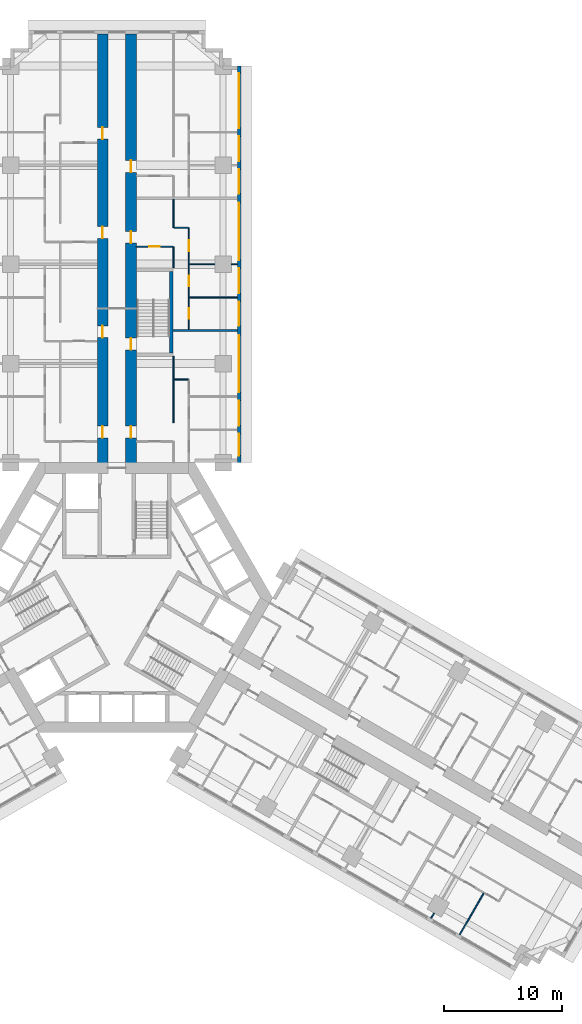
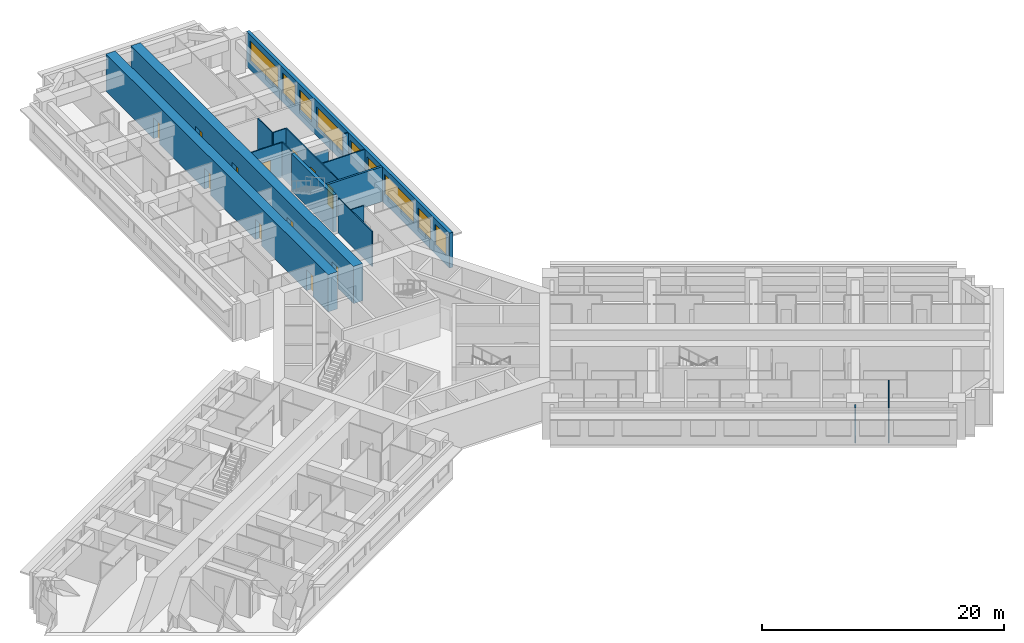
# One storey, part 10 of 16: 17 walls, 12 doors, 9 windows, 21 openings.
"""IFC4 building model written with IfcOpenShell, lengths in metres."""

import ifcopenshell
import ifcopenshell.guid

model = None  # the IFC model being written
_history = None  # IfcOwnerHistory: only IFC2X3 demands one
_inside = {}  # id of a spatial element -> (the spatial element, [elements in it])
_under = {}  # id of a project, library or spatial element -> (it, [spatial elements below it])
_declared = {}  # id of a project -> (the project, [libraries it declares])
_typed = {}  # id of a type object -> (the type object, [elements of that type])
_made_of = {}  # id of a material, layer set ... -> (it, [elements and type objects made of it])


def new_model(schema):
    """Start an empty IFC model of exactly this schema.

    Asked for "IFC4X3", IfcOpenShell would pick the latest addendum, in which some entities
    have other attributes; the version numbers below select the first issue.
    IFC2X3 requires an IfcOwnerHistory on every rooted entity: one is made here for all.
    """
    global model, _history
    if schema == "IFC4X3":
        model = ifcopenshell.file(schema_version=(4, 3, 0, 0))
    else:
        model = ifcopenshell.file(schema=schema)
    _inside.clear()
    _under.clear()
    _declared.clear()
    _typed.clear()
    _made_of.clear()
    _history = None
    if model.schema == "IFC2X3":
        org = make("IfcOrganization", Name="unknown")
        user = make(
            "IfcPersonAndOrganization",
            ThePerson=make("IfcPerson", FamilyName="unknown"),
            TheOrganization=org,
        )
        app = make(
            "IfcApplication",
            ApplicationDeveloper=org,
            Version="unknown",
            ApplicationFullName="unknown",
            ApplicationIdentifier="unknown",
        )
        _history = make(
            "IfcOwnerHistory",
            OwningUser=user,
            OwningApplication=app,
            ChangeAction="ADDED",
            CreationDate=0,
        )
    return model


def make(cls, **values):
    """One entity of the class cls with the attributes given. An attribute that is None is left unset."""
    return model.create_entity(
        cls, **{name: value for name, value in values.items() if value is not None}
    )


def rooted(cls, **values):
    """An entity with a GlobalId (a new one), such as an element, a storey or a relation."""
    return make(cls, GlobalId=ifcopenshell.guid.new(), OwnerHistory=_history, **values)


def si_unit(unit_type, name, prefix=None):
    """IfcSIUnit, for example si_unit("LENGTHUNIT", "METRE", prefix="MILLI")."""
    return make("IfcSIUnit", UnitType=unit_type, Prefix=prefix, Name=name)


def assignment(units):
    """IfcUnitAssignment: the units of a project."""
    return None if units is None else make("IfcUnitAssignment", Units=units)


def point(xyz):
    """IfcCartesianPoint."""
    return None if xyz is None else make("IfcCartesianPoint", Coordinates=xyz)


def direction(xyz):
    """IfcDirection."""
    return None if xyz is None else make("IfcDirection", DirectionRatios=xyz)


def frame(location, z_axis=None, x_axis=None):
    """IfcAxis2Placement3D, a coordinate frame: its origin and axes. An axis left out is left unset."""
    return make(
        "IfcAxis2Placement3D",
        Location=point(location),
        Axis=direction(z_axis),
        RefDirection=direction(x_axis),
    )


def frame_2d(location, x_axis=None):
    """IfcAxis2Placement2D, a coordinate frame in the plane: its origin and x axis."""
    return make(
        "IfcAxis2Placement2D", Location=point(location), RefDirection=direction(x_axis)
    )


def origin():
    """The frame at (0, 0, 0) with its axes left unset."""
    return frame((0.0, 0.0, 0.0))


def place(relative_to, where):
    """IfcLocalPlacement: puts the frame where relative to a parent placement (None: the world)."""
    return make(
        "IfcLocalPlacement", PlacementRelTo=relative_to, RelativePlacement=where
    )


def context(
    kind, dimensions, precision=None, world=None, true_north=None, identifier=None
):
    """IfcGeometricRepresentationContext, for example the 3D "Model" context."""
    return make(
        "IfcGeometricRepresentationContext",
        ContextIdentifier=identifier,
        ContextType=kind,
        CoordinateSpaceDimension=dimensions,
        Precision=precision,
        WorldCoordinateSystem=world,
        TrueNorth=true_north,
    )


def subcontext(parent, identifier, kind, view, scale=None):
    """IfcGeometricRepresentationSubContext, for example "Body" below "Model"."""
    return make(
        "IfcGeometricRepresentationSubContext",
        ContextIdentifier=identifier,
        ContextType=kind,
        ParentContext=parent,
        TargetScale=scale,
        TargetView=view,
    )


def project(units=None, contexts=None):
    """IfcProject with its units and contexts."""
    return rooted(
        "IfcProject",
        Name="project",
        RepresentationContexts=contexts,
        UnitsInContext=assignment(units),
    )


def spatial(cls, under=None, at=None, **own):
    """A site, building, storey or space (cls), placed at a placement, below another one or the project."""
    s = rooted(cls, ObjectPlacement=at, **own)
    if under is not None:
        _under.setdefault(under.id(), (under, []))[1].append(s)
    return s


def profile(cls, at=None, kind="AREA", **sizes):
    """A parametric profile (cls). Its sizes go by their IFC names, for example OverallWidth=200.0."""
    return make(cls, ProfileType=kind, Position=at, **sizes)


def rectangle(**sizes):
    """IfcRectangleProfileDef."""
    return profile("IfcRectangleProfileDef", **sizes)


def extrude(swept, where, along, depth):
    """IfcExtrudedAreaSolid: the profile swept, set in the frame where, extruded along a direction by depth."""
    return make(
        "IfcExtrudedAreaSolid",
        SweptArea=swept,
        Position=where,
        ExtrudedDirection=direction(along),
        Depth=depth,
    )


def shape(context_of_items, identifier, shape_type, items):
    """IfcShapeRepresentation: the items that make up one representation, for example the "Body"."""
    return make(
        "IfcShapeRepresentation",
        ContextOfItems=context_of_items,
        RepresentationIdentifier=identifier,
        RepresentationType=shape_type,
        Items=items,
    )


def material(Name=None, Category=None):
    """IfcMaterial."""
    return make("IfcMaterial", Name=Name, Category=Category)


def layer(
    of_material, thickness, ventilated=None, Name=None, Category=None, Priority=None
):
    """IfcMaterialLayer: one layer of a wall or slab, of a material (None: an air gap)."""
    return make(
        "IfcMaterialLayer",
        Material=of_material,
        LayerThickness=thickness,
        IsVentilated=ventilated,
        Name=Name,
        Category=Category,
        Priority=Priority,
    )


def layer_set(layers, Name=None):
    """IfcMaterialLayerSet."""
    return make("IfcMaterialLayerSet", MaterialLayers=layers, LayerSetName=Name)


def made_of(thing, what):
    """Note that an element or type object is made of a material, layer set ...; save() writes the relation."""
    if what is not None:
        _made_of.setdefault(what.id(), (what, []))[1].append(thing)
    return thing


def type_object(cls, material=None, **own):
    """A type object (cls), such as IfcWallType, which elements share."""
    return made_of(rooted(cls, **own), material)


def element(
    cls,
    number,
    at=None,
    inside=None,
    cuts=None,
    type_object=None,
    material=None,
    context=None,
    identifier="Body",
    shape_type=None,
    held_by="IfcProductDefinitionShape",
    body=None,
    shapes=None,
    **own,
):
    """One element of the class cls, such as IfcWall. Its Tag is "e" and its number.

    at: its placement. inside: the storey or other place that contains it. cuts: it is an
    opening in that element (IfcRelVoidsElement). A single representation is given by context,
    identifier, shape_type and body (its items); several are given by shapes. held_by: the class
    of the entity that holds the representations. save() writes the other relations.
    """
    e = rooted(cls, Tag="e%d" % number, ObjectPlacement=at, **own)
    if body is not None:
        shapes = [shape(context, identifier, shape_type, body)]
    if shapes is not None:
        e.Representation = make(held_by, Representations=shapes)
    if inside is not None:
        _inside.setdefault(inside.id(), (inside, []))[1].append(e)
    if cuts is not None:
        rooted(
            "IfcRelVoidsElement", RelatingBuildingElement=cuts, RelatedOpeningElement=e
        )
    if type_object is not None:
        _typed.setdefault(type_object.id(), (type_object, []))[1].append(e)
    return made_of(e, material)


def fill(opening, filler):
    """IfcRelFillsElement: the door or window that sits in an opening."""
    return rooted(
        "IfcRelFillsElement",
        RelatingOpeningElement=opening,
        RelatedBuildingElement=filler,
    )


def aggregate(whole, parts):
    """IfcRelAggregates: a whole, such as a stair, and the parts it consists of."""
    return rooted("IfcRelAggregates", RelatingObject=whole, RelatedObjects=parts)


def save(model, path):
    """Write the relations noted so far, then the file.

    IfcRelAggregates (storeys below a building ...), IfcRelContainedInSpatialStructure (elements
    in a storey), IfcRelDefinesByType, IfcRelAssociatesMaterial and IfcRelDeclares: one each for
    every whole, place, type object, material and project.
    """
    for whole, parts in _under.values():
        aggregate(whole, parts)
    for where, things in _inside.values():
        rooted(
            "IfcRelContainedInSpatialStructure",
            RelatedElements=things,
            RelatingStructure=where,
        )
    for kind, things in _typed.values():
        rooted("IfcRelDefinesByType", RelatedObjects=things, RelatingType=kind)
    for what, things in _made_of.values():
        rooted("IfcRelAssociatesMaterial", RelatedObjects=things, RelatingMaterial=what)
    for by, libraries in _declared.values():
        rooted("IfcRelDeclares", RelatingContext=by, RelatedDefinitions=libraries)
    model.write(path)


model = new_model("IFC4")

# Units and contexts
model_context = context("Model", 3, precision=1e-05, world=origin(), true_north=direction((0.0, 1.0)))
body_context = subcontext(model_context, "Body", "Model", "MODEL_VIEW")
ifc_project = project(units=[si_unit("LENGTHUNIT", "METRE"), si_unit("AREAUNIT", "SQUARE_METRE"), si_unit("VOLUMEUNIT", "CUBIC_METRE"), si_unit("PLANEANGLEUNIT", "RADIAN"), si_unit("MASSUNIT", "GRAM", prefix="KILO")], contexts=[model_context])

# Site, building, storey
site_placement = place(None, origin())
site = spatial("IfcSite", under=ifc_project, at=site_placement, CompositionType="ELEMENT")
building_placement = place(site_placement, origin())
building = spatial("IfcBuilding", under=site, at=building_placement, Name="Impinga Residences", CompositionType="ELEMENT")
storey_placement = place(building_placement, frame((0.0, 0.0, 74.75)))
storey = spatial("IfcBuildingStorey", under=building, at=storey_placement, Name="L18", CompositionType="ELEMENT", Elevation=74.75)

# Wall, openings, doors
ifc_material_1 = material(Name="Concrete C70/85", Category="concrete")
ifc_layer_1 = layer(ifc_material_1, 0.89990234375)
ifc_layer_set_1 = layer_set([ifc_layer_1], Name="Concrete C70/85")
wall_type_1 = type_object("IfcWallType", Name="BW1 corridor buttress wall, L05 to L22 900", PredefinedType="SHEAR", material=ifc_layer_set_1)
wall_1_placement = place(storey_placement, frame((-1.199951171875, 10.9814453125, 0.0), z_axis=(0.0, 0.0, 1.0), x_axis=(0.0, 1.0, 0.0)))
wall_1 = element("IfcWall", 1, at=wall_1_placement, inside=storey, type_object=wall_type_1, Name="Corridor wall BW1 NC L18", PredefinedType="SHEAR", context=body_context, shape_type="SweptSolid", body=[
    extrude(rectangle(XDim=36.75, YDim=0.89990234375, at=frame_2d((18.375, 0.0))), origin(), (0.0, 0.0, 1.0), 3.75),
])
opening_1_placement = place(wall_1_placement, frame((2.550048828125, 0.0, 0.0)))
opening_1 = element("IfcOpeningElement", 2, at=opening_1_placement, cuts=wall_1, Name="Opening D1", PredefinedType="OPENING", context=body_context, shape_type="SweptSolid", body=[
    extrude(rectangle(XDim=1.0, YDim=2.10009765625, at=frame_2d((0.5, 1.050048828125))), frame((0.0, 0.4599609375, 0.0), z_axis=(0.0, -1.0, 0.0), x_axis=(1.0, 0.0, 0.0)), (0.0, 0.0, 1.0), 0.919921875),
])
opening_2_placement = place(wall_1_placement, frame((11.050048828125, 0.0, 0.0)))
opening_2 = element("IfcOpeningElement", 3, at=opening_2_placement, cuts=wall_1, Name="Opening D1", PredefinedType="OPENING", context=body_context, shape_type="SweptSolid", body=[
    extrude(rectangle(XDim=1.0, YDim=2.10009765625, at=frame_2d((0.5, 1.050048828125))), frame((0.0, 0.4599609375, 0.0), z_axis=(0.0, -1.0, 0.0), x_axis=(1.0, 0.0, 0.0)), (0.0, 0.0, 1.0), 0.919921875),
])
opening_3_placement = place(wall_1_placement, frame((19.449951171875, 0.0, 0.0)))
opening_3 = element("IfcOpeningElement", 4, at=opening_3_placement, cuts=wall_1, Name="Opening D1", PredefinedType="OPENING", context=body_context, shape_type="SweptSolid", body=[
    extrude(rectangle(XDim=1.0, YDim=2.10009765625, at=frame_2d((0.5, 1.050048828125))), frame((0.0, 0.4599609375, 0.0), z_axis=(0.0, -1.0, 0.0), x_axis=(1.0, 0.0, 0.0)), (0.0, 0.0, 1.0), 0.919921875),
])
opening_4_placement = place(wall_1_placement, frame((27.85009765625, 0.0, 0.0)))
opening_4 = element("IfcOpeningElement", 5, at=opening_4_placement, cuts=wall_1, Name="Opening D1", PredefinedType="OPENING", context=body_context, shape_type="SweptSolid", body=[
    extrude(rectangle(XDim=1.0, YDim=2.10009765625, at=frame_2d((0.5, 1.050048828125))), frame((0.0, 0.4599609375, 0.0), z_axis=(0.0, -1.0, 0.0), x_axis=(1.0, 0.0, 0.0)), (0.0, 0.0, 1.0), 0.919921875),
])
ifc_material_2 = material(Name="Timber door set", Category="wood")
door_type_1 = type_object("IfcDoorType", Name="D1 apartment entrance door 1000x2100", OperationType="SINGLE_SWING_LEFT", PredefinedType="DOOR", material=ifc_material_2)
door_1_placement = place(opening_1_placement, origin())
door_1 = element("IfcDoor", 6, at=door_1_placement, inside=storey, type_object=door_type_1, Name="Apartment L18-NA1 entrance", OperationType="SINGLE_SWING_LEFT", OverallHeight=2.10009765625, OverallWidth=1.0, PredefinedType="DOOR", context=body_context, shape_type="SweptSolid", body=[
    extrude(rectangle(XDim=1.0, YDim=2.10009765625, at=frame_2d((0.5, 1.050048828125))), frame((0.0, 0.02490234375, 0.0), z_axis=(0.0, -1.0, 0.0), x_axis=(1.0, 0.0, 0.0)), (0.0, 0.0, 1.0), 0.050048828125),
])
fill(opening_1, door_1)
door_2_placement = place(opening_2_placement, origin())
door_2 = element("IfcDoor", 7, at=door_2_placement, inside=storey, type_object=door_type_1, Name="Apartment L18-NA2 entrance", OperationType="SINGLE_SWING_LEFT", OverallHeight=2.10009765625, OverallWidth=1.0, PredefinedType="DOOR", context=body_context, shape_type="SweptSolid", body=[
    extrude(rectangle(XDim=1.0, YDim=2.10009765625, at=frame_2d((0.5, 1.050048828125))), frame((0.0, 0.02490234375, 0.0), z_axis=(0.0, -1.0, 0.0), x_axis=(1.0, 0.0, 0.0)), (0.0, 0.0, 1.0), 0.050048828125),
])
fill(opening_2, door_2)
door_3_placement = place(opening_3_placement, origin())
door_3 = element("IfcDoor", 8, at=door_3_placement, inside=storey, type_object=door_type_1, Name="Apartment L18-NA3 entrance", OperationType="SINGLE_SWING_RIGHT", OverallHeight=2.10009765625, OverallWidth=1.0, PredefinedType="DOOR", context=body_context, shape_type="SweptSolid", body=[
    extrude(rectangle(XDim=1.0, YDim=2.10009765625, at=frame_2d((0.5, 1.050048828125))), frame((0.0, 0.02490234375, 0.0), z_axis=(0.0, -1.0, 0.0), x_axis=(1.0, 0.0, 0.0)), (0.0, 0.0, 1.0), 0.050048828125),
])
fill(opening_3, door_3)
door_4_placement = place(opening_4_placement, origin())
door_4 = element("IfcDoor", 9, at=door_4_placement, inside=storey, type_object=door_type_1, Name="Apartment L18-NA4 entrance", OperationType="SINGLE_SWING_RIGHT", OverallHeight=2.10009765625, OverallWidth=1.0, PredefinedType="DOOR", context=body_context, shape_type="SweptSolid", body=[
    extrude(rectangle(XDim=1.0, YDim=2.10009765625, at=frame_2d((0.5, 1.050048828125))), frame((0.0, 0.02490234375, 0.0), z_axis=(0.0, -1.0, 0.0), x_axis=(1.0, 0.0, 0.0)), (0.0, 0.0, 1.0), 0.050048828125),
])
fill(opening_4, door_4)

wall_2_placement = place(storey_placement, frame((1.199951171875, 10.9814453125, 0.0), z_axis=(0.0, 0.0, 1.0), x_axis=(0.0, 1.0, 0.0)))
wall_2 = element("IfcWall", 10, at=wall_2_placement, inside=storey, type_object=wall_type_1, Name="Corridor wall BW1 ND L18", PredefinedType="SHEAR", context=body_context, shape_type="SweptSolid", body=[
    extrude(rectangle(XDim=36.75, YDim=0.89990234375, at=frame_2d((18.375, 0.0))), origin(), (0.0, 0.0, 1.0), 3.75),
])
opening_5_placement = place(wall_2_placement, frame((10.0, 0.0, 0.0)))
opening_5 = element("IfcOpeningElement", 11, at=opening_5_placement, cuts=wall_2, Name="Opening D5", PredefinedType="OPENING", context=body_context, shape_type="SweptSolid", body=[
    extrude(rectangle(XDim=1.0, YDim=2.10009765625, at=frame_2d((0.5, 1.050048828125))), frame((0.0, 0.4599609375, 0.0), z_axis=(0.0, -1.0, 0.0), x_axis=(1.0, 0.0, 0.0)), (0.0, 0.0, 1.0), 0.919921875),
])
opening_6_placement = place(wall_2_placement, frame((2.550048828125, 0.0, 0.0)))
opening_6 = element("IfcOpeningElement", 12, at=opening_6_placement, cuts=wall_2, Name="Opening D1", PredefinedType="OPENING", context=body_context, shape_type="SweptSolid", body=[
    extrude(rectangle(XDim=1.0, YDim=2.10009765625, at=frame_2d((0.5, 1.050048828125))), frame((0.0, 0.4599609375, 0.0), z_axis=(0.0, -1.0, 0.0), x_axis=(1.0, 0.0, 0.0)), (0.0, 0.0, 1.0), 0.919921875),
])
opening_7_placement = place(wall_2_placement, frame((19.050048828125, 0.0, 0.0)))
opening_7 = element("IfcOpeningElement", 13, at=opening_7_placement, cuts=wall_2, Name="Opening D1", PredefinedType="OPENING", context=body_context, shape_type="SweptSolid", body=[
    extrude(rectangle(XDim=1.0, YDim=2.10009765625, at=frame_2d((0.5, 1.050048828125))), frame((0.0, 0.4599609375, 0.0), z_axis=(0.0, -1.0, 0.0), x_axis=(1.0, 0.0, 0.0)), (0.0, 0.0, 1.0), 0.919921875),
])
opening_8_placement = place(wall_2_placement, frame((25.050048828125, 0.0, 0.0)))
opening_8 = element("IfcOpeningElement", 14, at=opening_8_placement, cuts=wall_2, Name="Opening D1", PredefinedType="OPENING", context=body_context, shape_type="SweptSolid", body=[
    extrude(rectangle(XDim=1.0, YDim=2.10009765625, at=frame_2d((0.5, 1.050048828125))), frame((0.0, 0.4599609375, 0.0), z_axis=(0.0, -1.0, 0.0), x_axis=(1.0, 0.0, 0.0)), (0.0, 0.0, 1.0), 0.919921875),
])
door_5_placement = place(opening_6_placement, origin())
door_5 = element("IfcDoor", 15, at=door_5_placement, inside=storey, type_object=door_type_1, Name="Apartment L18-NF1 entrance", OperationType="SINGLE_SWING_LEFT", OverallHeight=2.10009765625, OverallWidth=1.0, PredefinedType="DOOR", context=body_context, shape_type="SweptSolid", body=[
    extrude(rectangle(XDim=1.0, YDim=2.10009765625, at=frame_2d((0.5, 1.050048828125))), frame((0.0, 0.02490234375, 0.0), z_axis=(0.0, -1.0, 0.0), x_axis=(1.0, 0.0, 0.0)), (0.0, 0.0, 1.0), 0.050048828125),
])
fill(opening_6, door_5)
door_6_placement = place(opening_7_placement, origin())
door_6 = element("IfcDoor", 16, at=door_6_placement, inside=storey, type_object=door_type_1, Name="Apartment L18-NF2 entrance", OperationType="SINGLE_SWING_RIGHT", OverallHeight=2.10009765625, OverallWidth=1.0, PredefinedType="DOOR", context=body_context, shape_type="SweptSolid", body=[
    extrude(rectangle(XDim=1.0, YDim=2.10009765625, at=frame_2d((0.5, 1.050048828125))), frame((0.0, 0.02490234375, 0.0), z_axis=(0.0, -1.0, 0.0), x_axis=(1.0, 0.0, 0.0)), (0.0, 0.0, 1.0), 0.050048828125),
])
fill(opening_7, door_6)
door_7_placement = place(opening_8_placement, origin())
door_7 = element("IfcDoor", 17, at=door_7_placement, inside=storey, type_object=door_type_1, Name="Apartment L18-NF3 entrance", OperationType="SINGLE_SWING_RIGHT", OverallHeight=2.10009765625, OverallWidth=1.0, PredefinedType="DOOR", context=body_context, shape_type="SweptSolid", body=[
    extrude(rectangle(XDim=1.0, YDim=2.10009765625, at=frame_2d((0.5, 1.050048828125))), frame((0.0, 0.02490234375, 0.0), z_axis=(0.0, -1.0, 0.0), x_axis=(1.0, 0.0, 0.0)), (0.0, 0.0, 1.0), 0.050048828125),
])
fill(opening_8, door_7)
door_type_2 = type_object("IfcDoorType", Name="D5 stair door 1000x2100", OperationType="SINGLE_SWING_LEFT", PredefinedType="DOOR", material=ifc_material_2)
door_8_placement = place(opening_5_placement, origin())
door_8 = element("IfcDoor", 18, at=door_8_placement, inside=storey, type_object=door_type_2, Name="Wing stair door N", OperationType="SINGLE_SWING_LEFT", OverallHeight=2.10009765625, OverallWidth=1.0, PredefinedType="DOOR", context=body_context, shape_type="SweptSolid", body=[
    extrude(rectangle(XDim=1.0, YDim=2.10009765625, at=frame_2d((0.5, 1.050048828125))), frame((0.0, 0.02490234375, 0.0), z_axis=(0.0, -1.0, 0.0), x_axis=(1.0, 0.0, 0.0)), (0.0, 0.0, 1.0), 0.050048828125),
])
fill(opening_5, door_8)

# Wall, openings, windows
ifc_material_3 = material(Name="Terracotta rainscreen on blockwork", Category="masonry")
ifc_layer_2 = layer(ifc_material_3, 0.300048828125)
ifc_layer_set_2 = layer_set([ifc_layer_2], Name="EW1 external wall, terracotta rainscreen on blockwork 300")
wall_type_2 = type_object("IfcWallType", Name="EW1 external wall, terracotta rainscreen on blockwork 300", PredefinedType="SOLIDWALL", material=ifc_layer_set_2)
wall_3_placement = place(storey_placement, frame((10.35009765625, 45.031494140625, 0.0), z_axis=(0.0, 0.0, 1.0), x_axis=(0.0, -1.0, 0.0)))
wall_3 = element("IfcWall", 19, at=wall_3_placement, inside=storey, type_object=wall_type_2, Name="External wall EW1 L18", PredefinedType="SOLIDWALL", context=body_context, shape_type="SweptSolid", body=[
    extrude(rectangle(XDim=33.599853515625, YDim=0.300048828125, at=frame_2d((16.7998046875, 0.0))), origin(), (0.0, 0.0, 1.0), 3.530029296875),
])
opening_9_placement = place(wall_3_placement, frame((0.60009765625, 0.0, 0.89990234375)))
opening_9 = element("IfcOpeningElement", 20, at=opening_9_placement, cuts=wall_3, Name="Opening W10", PredefinedType="OPENING", context=body_context, shape_type="SweptSolid", body=[
    extrude(rectangle(XDim=4.64990234375, YDim=2.050048828125, at=frame_2d((2.324951171875, 1.02490234375))), frame((0.0, 0.159912109375, 0.0), z_axis=(0.0, -1.0, 0.0), x_axis=(1.0, 0.0, 0.0)), (0.0, 0.0, 1.0), 0.320068359375),
])
opening_10_placement = place(wall_3_placement, frame((5.949951171875, 0.0, 0.89990234375)))
opening_10 = element("IfcOpeningElement", 21, at=opening_10_placement, cuts=wall_3, Name="Opening W9", PredefinedType="OPENING", context=body_context, shape_type="SweptSolid", body=[
    extrude(rectangle(XDim=2.10009765625, YDim=2.050048828125, at=frame_2d((1.050048828125, 1.02490234375))), frame((0.0, 0.159912109375, 0.0), z_axis=(0.0, -1.0, 0.0), x_axis=(1.0, 0.0, 0.0)), (0.0, 0.0, 1.0), 0.320068359375),
])
opening_11_placement = place(wall_3_placement, frame((8.75, 0.0, 0.89990234375)))
opening_11 = element("IfcOpeningElement", 22, at=opening_11_placement, cuts=wall_3, Name="Opening W14", PredefinedType="OPENING", context=body_context, shape_type="SweptSolid", body=[
    extrude(rectangle(XDim=2.050048828125, YDim=2.050048828125, at=frame_2d((1.02490234375, 1.02490234375))), frame((0.0, 0.159912109375, 0.0), z_axis=(0.0, -1.0, 0.0), x_axis=(1.0, 0.0, 0.0)), (0.0, 0.0, 1.0), 0.320068359375),
])
opening_12_placement = place(wall_3_placement, frame((11.60009765625, 0.0, 0.89990234375)))
opening_12 = element("IfcOpeningElement", 23, at=opening_12_placement, cuts=wall_3, Name="Opening W6", PredefinedType="OPENING", context=body_context, shape_type="SweptSolid", body=[
    extrude(rectangle(XDim=4.85009765625, YDim=2.050048828125, at=frame_2d((2.425048828125, 1.02490234375))), frame((0.0, 0.159912109375, 0.0), z_axis=(0.0, -1.0, 0.0), x_axis=(1.0, 0.0, 0.0)), (0.0, 0.0, 1.0), 0.320068359375),
])
opening_13_placement = place(wall_3_placement, frame((17.14990234375, 0.0, 0.89990234375)))
opening_13 = element("IfcOpeningElement", 24, at=opening_13_placement, cuts=wall_3, Name="Opening W9", PredefinedType="OPENING", context=body_context, shape_type="SweptSolid", body=[
    extrude(rectangle(XDim=2.10009765625, YDim=2.050048828125, at=frame_2d((1.050048828125, 1.02490234375))), frame((0.0, 0.159912109375, 0.0), z_axis=(0.0, -1.0, 0.0), x_axis=(1.0, 0.0, 0.0)), (0.0, 0.0, 1.0), 0.320068359375),
])
opening_14_placement = place(wall_3_placement, frame((19.949951171875, 0.0, 0.89990234375)))
opening_14 = element("IfcOpeningElement", 25, at=opening_14_placement, cuts=wall_3, Name="Opening W14", PredefinedType="OPENING", context=body_context, shape_type="SweptSolid", body=[
    extrude(rectangle(XDim=2.050048828125, YDim=2.050048828125, at=frame_2d((1.02490234375, 1.02490234375))), frame((0.0, 0.159912109375, 0.0), z_axis=(0.0, -1.0, 0.0), x_axis=(1.0, 0.0, 0.0)), (0.0, 0.0, 1.0), 0.320068359375),
])
opening_15_placement = place(wall_3_placement, frame((22.800048828125, 0.0, 0.89990234375)))
opening_15 = element("IfcOpeningElement", 26, at=opening_15_placement, cuts=wall_3, Name="Opening W6", PredefinedType="OPENING", context=body_context, shape_type="SweptSolid", body=[
    extrude(rectangle(XDim=4.85009765625, YDim=2.050048828125, at=frame_2d((2.425048828125, 1.02490234375))), frame((0.0, 0.159912109375, 0.0), z_axis=(0.0, -1.0, 0.0), x_axis=(1.0, 0.0, 0.0)), (0.0, 0.0, 1.0), 0.320068359375),
])
opening_16_placement = place(wall_3_placement, frame((28.35009765625, 0.0, 0.89990234375)))
opening_16 = element("IfcOpeningElement", 27, at=opening_16_placement, cuts=wall_3, Name="Opening W9", PredefinedType="OPENING", context=body_context, shape_type="SweptSolid", body=[
    extrude(rectangle(XDim=2.10009765625, YDim=2.050048828125, at=frame_2d((1.050048828125, 1.02490234375))), frame((0.0, 0.159912109375, 0.0), z_axis=(0.0, -1.0, 0.0), x_axis=(1.0, 0.0, 0.0)), (0.0, 0.0, 1.0), 0.320068359375),
])
opening_17_placement = place(wall_3_placement, frame((31.14990234375, 0.0, 0.89990234375)))
opening_17 = element("IfcOpeningElement", 28, at=opening_17_placement, cuts=wall_3, Name="Opening W15", PredefinedType="OPENING", context=body_context, shape_type="SweptSolid", body=[
    extrude(rectangle(XDim=1.85009765625, YDim=2.050048828125, at=frame_2d((0.925048828125, 1.02490234375))), frame((0.0, 0.159912109375, 0.0), z_axis=(0.0, -1.0, 0.0), x_axis=(1.0, 0.0, 0.0)), (0.0, 0.0, 1.0), 0.320068359375),
])
ifc_material_4 = material(Name="Aluminium window, clear double glazing", Category="aluminium")
window_type_1 = type_object("IfcWindowType", Name="W10 ribbon window 4650x2050", PartitioningType="SINGLE_PANEL", PredefinedType="WINDOW", material=ifc_material_4)
window_1_placement = place(opening_9_placement, origin())
window_1 = element("IfcWindow", 29, at=window_1_placement, inside=storey, type_object=window_type_1, Name="Window L18", OverallHeight=2.050048828125, OverallWidth=4.64990234375, PartitioningType="SINGLE_PANEL", PredefinedType="WINDOW", context=body_context, shape_type="SweptSolid", body=[
    extrude(rectangle(XDim=4.64990234375, YDim=2.050048828125, at=frame_2d((2.324951171875, 1.02490234375))), frame((0.0, 0.030029296875, 0.0), z_axis=(0.0, -1.0, 0.0), x_axis=(1.0, 0.0, 0.0)), (0.0, 0.0, 1.0), 0.06005859375),
])
fill(opening_9, window_1)
window_type_2 = type_object("IfcWindowType", Name="W14 ribbon window 2050x2050", PartitioningType="SINGLE_PANEL", PredefinedType="WINDOW", material=ifc_material_4)
window_2_placement = place(opening_11_placement, origin())
window_2 = element("IfcWindow", 30, at=window_2_placement, inside=storey, type_object=window_type_2, Name="Window L18", OverallHeight=2.050048828125, OverallWidth=2.050048828125, PartitioningType="SINGLE_PANEL", PredefinedType="WINDOW", context=body_context, shape_type="SweptSolid", body=[
    extrude(rectangle(XDim=2.050048828125, YDim=2.050048828125, at=frame_2d((1.02490234375, 1.02490234375))), frame((0.0, 0.030029296875, 0.0), z_axis=(0.0, -1.0, 0.0), x_axis=(1.0, 0.0, 0.0)), (0.0, 0.0, 1.0), 0.06005859375),
])
fill(opening_11, window_2)
window_3_placement = place(opening_14_placement, origin())
window_3 = element("IfcWindow", 31, at=window_3_placement, inside=storey, type_object=window_type_2, Name="Window L18", OverallHeight=2.050048828125, OverallWidth=2.050048828125, PartitioningType="SINGLE_PANEL", PredefinedType="WINDOW", context=body_context, shape_type="SweptSolid", body=[
    extrude(rectangle(XDim=2.050048828125, YDim=2.050048828125, at=frame_2d((1.02490234375, 1.02490234375))), frame((0.0, 0.030029296875, 0.0), z_axis=(0.0, -1.0, 0.0), x_axis=(1.0, 0.0, 0.0)), (0.0, 0.0, 1.0), 0.06005859375),
])
fill(opening_14, window_3)
window_type_3 = type_object("IfcWindowType", Name="W15 ribbon window 1850x2050", PartitioningType="SINGLE_PANEL", PredefinedType="WINDOW", material=ifc_material_4)
window_4_placement = place(opening_17_placement, origin())
window_4 = element("IfcWindow", 32, at=window_4_placement, inside=storey, type_object=window_type_3, Name="Window L18", OverallHeight=2.050048828125, OverallWidth=1.85009765625, PartitioningType="SINGLE_PANEL", PredefinedType="WINDOW", context=body_context, shape_type="SweptSolid", body=[
    extrude(rectangle(XDim=1.85009765625, YDim=2.050048828125, at=frame_2d((0.925048828125, 1.02490234375))), frame((0.0, 0.030029296875, 0.0), z_axis=(0.0, -1.0, 0.0), x_axis=(1.0, 0.0, 0.0)), (0.0, 0.0, 1.0), 0.06005859375),
])
fill(opening_17, window_4)
window_type_4 = type_object("IfcWindowType", Name="W6 ribbon window 4850x2050", PartitioningType="SINGLE_PANEL", PredefinedType="WINDOW", material=ifc_material_4)
window_5_placement = place(opening_12_placement, origin())
window_5 = element("IfcWindow", 33, at=window_5_placement, inside=storey, type_object=window_type_4, Name="Window L18", OverallHeight=2.050048828125, OverallWidth=4.85009765625, PartitioningType="SINGLE_PANEL", PredefinedType="WINDOW", context=body_context, shape_type="SweptSolid", body=[
    extrude(rectangle(XDim=4.85009765625, YDim=2.050048828125, at=frame_2d((2.425048828125, 1.02490234375))), frame((0.0, 0.030029296875, 0.0), z_axis=(0.0, -1.0, 0.0), x_axis=(1.0, 0.0, 0.0)), (0.0, 0.0, 1.0), 0.06005859375),
])
fill(opening_12, window_5)
window_6_placement = place(opening_15_placement, origin())
window_6 = element("IfcWindow", 34, at=window_6_placement, inside=storey, type_object=window_type_4, Name="Window L18", OverallHeight=2.050048828125, OverallWidth=4.85009765625, PartitioningType="SINGLE_PANEL", PredefinedType="WINDOW", context=body_context, shape_type="SweptSolid", body=[
    extrude(rectangle(XDim=4.85009765625, YDim=2.050048828125, at=frame_2d((2.425048828125, 1.02490234375))), frame((0.0, 0.030029296875, 0.0), z_axis=(0.0, -1.0, 0.0), x_axis=(1.0, 0.0, 0.0)), (0.0, 0.0, 1.0), 0.06005859375),
])
fill(opening_15, window_6)
window_type_5 = type_object("IfcWindowType", Name="W9 ribbon window 2100x2050", PartitioningType="SINGLE_PANEL", PredefinedType="WINDOW", material=ifc_material_4)
window_7_placement = place(opening_10_placement, origin())
window_7 = element("IfcWindow", 35, at=window_7_placement, inside=storey, type_object=window_type_5, Name="Window L18", OverallHeight=2.050048828125, OverallWidth=2.10009765625, PartitioningType="SINGLE_PANEL", PredefinedType="WINDOW", context=body_context, shape_type="SweptSolid", body=[
    extrude(rectangle(XDim=2.10009765625, YDim=2.050048828125, at=frame_2d((1.050048828125, 1.02490234375))), frame((0.0, 0.030029296875, 0.0), z_axis=(0.0, -1.0, 0.0), x_axis=(1.0, 0.0, 0.0)), (0.0, 0.0, 1.0), 0.06005859375),
])
fill(opening_10, window_7)
window_8_placement = place(opening_13_placement, origin())
window_8 = element("IfcWindow", 36, at=window_8_placement, inside=storey, type_object=window_type_5, Name="Window L18", OverallHeight=2.050048828125, OverallWidth=2.10009765625, PartitioningType="SINGLE_PANEL", PredefinedType="WINDOW", context=body_context, shape_type="SweptSolid", body=[
    extrude(rectangle(XDim=2.10009765625, YDim=2.050048828125, at=frame_2d((1.050048828125, 1.02490234375))), frame((0.0, 0.030029296875, 0.0), z_axis=(0.0, -1.0, 0.0), x_axis=(1.0, 0.0, 0.0)), (0.0, 0.0, 1.0), 0.06005859375),
])
fill(opening_13, window_8)
window_9_placement = place(opening_16_placement, origin())
window_9 = element("IfcWindow", 37, at=window_9_placement, inside=storey, type_object=window_type_5, Name="Window L18", OverallHeight=2.050048828125, OverallWidth=2.10009765625, PartitioningType="SINGLE_PANEL", PredefinedType="WINDOW", context=body_context, shape_type="SweptSolid", body=[
    extrude(rectangle(XDim=2.10009765625, YDim=2.050048828125, at=frame_2d((1.050048828125, 1.02490234375))), frame((0.0, 0.030029296875, 0.0), z_axis=(0.0, -1.0, 0.0), x_axis=(1.0, 0.0, 0.0)), (0.0, 0.0, 1.0), 0.06005859375),
])
fill(opening_16, window_9)

# Walls
ifc_material_5 = material(Name="Gypsum board on steel studs", Category="steel")
ifc_layer_3 = layer(ifc_material_5, 0.10009765625)
ifc_layer_set_3 = layer_set([ifc_layer_3], Name="Gypsum board on steel studs")
wall_type_3 = type_object("IfcWallType", Name="IP1 partition 100", PredefinedType="PARTITIONING", material=ifc_layer_set_3)
wall_4_placement = place(storey_placement, frame((4.800048828125, 14.83154296875, 0.0), z_axis=(0.0, 0.0, 1.0), x_axis=(0.0, 1.0, 0.0)))
element("IfcWall", 38, at=wall_4_placement, inside=storey, type_object=wall_type_3, Name="Partition L18-NF1:DIV1", PredefinedType="PARTITIONING", context=body_context, shape_type="SweptSolid", body=[
    extrude(rectangle(XDim=5.60009765625, YDim=0.10009765625, at=frame_2d((2.800048828125, 0.0))), origin(), (0.0, 0.0, 1.0), 3.530029296875),
])
wall_5_placement = place(storey_placement, frame((4.85009765625, 18.4814453125, 0.0), z_axis=(0.0, 0.0, 1.0), x_axis=(1.0, 0.0, 0.0)))
element("IfcWall", 39, at=wall_5_placement, inside=storey, type_object=wall_type_3, Name="Partition L18-NF1:SE1", PredefinedType="PARTITIONING", context=body_context, shape_type="SweptSolid", body=[
    extrude(rectangle(XDim=1.199951171875, YDim=0.10009765625, at=frame_2d((0.60009765625, 0.0))), origin(), (0.0, 0.0, 1.0), 3.530029296875),
])
wall_6_placement = place(storey_placement, frame((4.800048828125, 27.931640625, 0.0), z_axis=(0.0, 0.0, 1.0), x_axis=(0.0, 1.0, 0.0)))
element("IfcWall", 40, at=wall_6_placement, inside=storey, type_object=wall_type_3, Name="Partition L18-NF2:DIV0", PredefinedType="PARTITIONING", context=body_context, shape_type="SweptSolid", body=[
    extrude(rectangle(XDim=1.7998046875, YDim=0.10009765625, at=frame_2d((0.89990234375, 0.0))), origin(), (0.0, 0.0, 1.0), 3.530029296875),
])
wall_7_placement = place(storey_placement, frame((4.800048828125, 31.33154296875, 0.0), z_axis=(0.0, 0.0, 1.0), x_axis=(0.0, 1.0, 0.0)))
element("IfcWall", 41, at=wall_7_placement, inside=storey, type_object=wall_type_3, Name="Partition L18-NF2:DIV1", PredefinedType="PARTITIONING", context=body_context, shape_type="SweptSolid", body=[
    extrude(rectangle(XDim=2.39990234375, YDim=0.10009765625, at=frame_2d((1.199951171875, 0.0))), origin(), (0.0, 0.0, 1.0), 3.530029296875),
])

# Wall, openings, doors
wall_8_placement = place(storey_placement, frame((6.10009765625, 22.7314453125, 0.0), z_axis=(0.0, 0.0, 1.0), x_axis=(0.0, 1.0, 0.0)))
wall_8 = element("IfcWall", 42, at=wall_8_placement, inside=storey, type_object=wall_type_3, Name="Partition L18-NF2:STRIP", PredefinedType="PARTITIONING", context=body_context, shape_type="SweptSolid", body=[
    extrude(rectangle(XDim=8.60009765625, YDim=0.10009765625, at=frame_2d((4.300048828125, 0.0))), origin(), (0.0, 0.0, 1.0), 3.530029296875),
])
opening_18_placement = place(wall_8_placement, frame((0.875, 0.0, 0.0)))
opening_18 = element("IfcOpeningElement", 43, at=opening_18_placement, cuts=wall_8, Name="Opening D2", PredefinedType="OPENING", context=body_context, shape_type="SweptSolid", body=[
    extrude(rectangle(XDim=0.89990234375, YDim=2.10009765625, at=frame_2d((0.449951171875, 1.050048828125))), frame((0.0, 0.06005859375, 0.0), z_axis=(0.0, -1.0, 0.0), x_axis=(1.0, 0.0, 0.0)), (0.0, 0.0, 1.0), 0.1201171875),
])
opening_19_placement = place(wall_8_placement, frame((3.64990234375, 0.0, 0.0)))
opening_19 = element("IfcOpeningElement", 44, at=opening_19_placement, cuts=wall_8, Name="Opening D2", PredefinedType="OPENING", context=body_context, shape_type="SweptSolid", body=[
    extrude(rectangle(XDim=0.89990234375, YDim=2.10009765625, at=frame_2d((0.449951171875, 1.050048828125))), frame((0.0, 0.06005859375, 0.0), z_axis=(0.0, -1.0, 0.0), x_axis=(1.0, 0.0, 0.0)), (0.0, 0.0, 1.0), 0.1201171875),
])
opening_20_placement = place(wall_8_placement, frame((6.625, 0.0, 0.0)))
opening_20 = element("IfcOpeningElement", 45, at=opening_20_placement, cuts=wall_8, Name="Opening D2", PredefinedType="OPENING", context=body_context, shape_type="SweptSolid", body=[
    extrude(rectangle(XDim=0.89990234375, YDim=2.10009765625, at=frame_2d((0.449951171875, 1.050048828125))), frame((0.0, 0.06005859375, 0.0), z_axis=(0.0, -1.0, 0.0), x_axis=(1.0, 0.0, 0.0)), (0.0, 0.0, 1.0), 0.1201171875),
])
door_type_3 = type_object("IfcDoorType", Name="D2 internal door 900x2100", OperationType="SINGLE_SWING_LEFT", PredefinedType="DOOR", material=ifc_material_2)
door_9_placement = place(opening_18_placement, origin())
door_9 = element("IfcDoor", 46, at=door_9_placement, inside=storey, type_object=door_type_3, Name="Apartment L18-NF2 room door", OperationType="SINGLE_SWING_LEFT", OverallHeight=2.10009765625, OverallWidth=0.89990234375, PredefinedType="DOOR", context=body_context, shape_type="SweptSolid", body=[
    extrude(rectangle(XDim=0.89990234375, YDim=2.10009765625, at=frame_2d((0.449951171875, 1.050048828125))), frame((0.0, 0.02490234375, 0.0), z_axis=(0.0, -1.0, 0.0), x_axis=(1.0, 0.0, 0.0)), (0.0, 0.0, 1.0), 0.050048828125),
])
fill(opening_18, door_9)
door_10_placement = place(opening_19_placement, origin())
door_10 = element("IfcDoor", 47, at=door_10_placement, inside=storey, type_object=door_type_3, Name="Apartment L18-NF2 room door", OperationType="SINGLE_SWING_LEFT", OverallHeight=2.10009765625, OverallWidth=0.89990234375, PredefinedType="DOOR", context=body_context, shape_type="SweptSolid", body=[
    extrude(rectangle(XDim=0.89990234375, YDim=2.10009765625, at=frame_2d((0.449951171875, 1.050048828125))), frame((0.0, 0.02490234375, 0.0), z_axis=(0.0, -1.0, 0.0), x_axis=(1.0, 0.0, 0.0)), (0.0, 0.0, 1.0), 0.050048828125),
])
fill(opening_19, door_10)
door_11_placement = place(opening_20_placement, origin())
door_11 = element("IfcDoor", 48, at=door_11_placement, inside=storey, type_object=door_type_3, Name="Apartment L18-NF2 room door", OperationType="SINGLE_SWING_RIGHT", OverallHeight=2.10009765625, OverallWidth=0.89990234375, PredefinedType="DOOR", context=body_context, shape_type="SweptSolid", body=[
    extrude(rectangle(XDim=0.89990234375, YDim=2.10009765625, at=frame_2d((0.449951171875, 1.050048828125))), frame((0.0, 0.02490234375, 0.0), z_axis=(0.0, -1.0, 0.0), x_axis=(1.0, 0.0, 0.0)), (0.0, 0.0, 1.0), 0.050048828125),
])
fill(opening_20, door_11)

# Wall
wall_9_placement = place(storey_placement, frame((4.85009765625, 31.33154296875, 0.0), z_axis=(0.0, 0.0, 1.0), x_axis=(1.0, 0.0, 0.0)))
element("IfcWall", 49, at=wall_9_placement, inside=storey, type_object=wall_type_3, Name="Partition L18-NF2:SE1", PredefinedType="PARTITIONING", context=body_context, shape_type="SweptSolid", body=[
    extrude(rectangle(XDim=1.199951171875, YDim=0.10009765625, at=frame_2d((0.60009765625, 0.0))), origin(), (0.0, 0.0, 1.0), 3.530029296875),
])

# Wall, opening, door
wall_10_placement = place(storey_placement, frame((1.64990234375, 29.7314453125, 0.0), z_axis=(0.0, 0.0, 1.0), x_axis=(1.0, 0.0, 0.0)))
wall_10 = element("IfcWall", 50, at=wall_10_placement, inside=storey, type_object=wall_type_3, Name="Partition L18-NF2:IB1", PredefinedType="PARTITIONING", context=body_context, shape_type="SweptSolid", body=[
    extrude(rectangle(XDim=3.10009765625, YDim=0.10009765625, at=frame_2d((1.550048828125, 0.0))), origin(), (0.0, 0.0, 1.0), 3.530029296875),
])
opening_21_placement = place(wall_10_placement, frame((1.10009765625, 0.0, 0.0)))
opening_21 = element("IfcOpeningElement", 51, at=opening_21_placement, cuts=wall_10, Name="Opening D2", PredefinedType="OPENING", context=body_context, shape_type="SweptSolid", body=[
    extrude(rectangle(XDim=0.89990234375, YDim=2.10009765625, at=frame_2d((0.449951171875, 1.050048828125))), frame((0.0, 0.06005859375, 0.0), z_axis=(0.0, -1.0, 0.0), x_axis=(1.0, 0.0, 0.0)), (0.0, 0.0, 1.0), 0.1201171875),
])
door_12_placement = place(opening_21_placement, origin())
door_12 = element("IfcDoor", 52, at=door_12_placement, inside=storey, type_object=door_type_3, Name="Apartment L18-NF2 bathroom door", OperationType="SINGLE_SWING_LEFT", OverallHeight=2.10009765625, OverallWidth=0.89990234375, PredefinedType="DOOR", context=body_context, shape_type="SweptSolid", body=[
    extrude(rectangle(XDim=0.89990234375, YDim=2.10009765625, at=frame_2d((0.449951171875, 1.050048828125))), frame((0.0, 0.02490234375, 0.0), z_axis=(0.0, -1.0, 0.0), x_axis=(1.0, 0.0, 0.0)), (0.0, 0.0, 1.0), 0.050048828125),
])
fill(opening_21, door_12)

# Walls
wall_11_placement = place(storey_placement, frame((6.14990234375, 25.431640625, 0.0), z_axis=(0.0, 0.0, 1.0), x_axis=(1.0, 0.0, 0.0)))
element("IfcWall", 53, at=wall_11_placement, inside=storey, type_object=wall_type_3, Name="Partition L18-NF2:OB1", PredefinedType="PARTITIONING", context=body_context, shape_type="SweptSolid", body=[
    extrude(rectangle(XDim=4.050048828125, YDim=0.10009765625, at=frame_2d((2.02490234375, 0.0))), origin(), (0.0, 0.0, 1.0), 3.530029296875),
])
wall_12_placement = place(storey_placement, frame((6.14990234375, 28.2314453125, 0.0), z_axis=(0.0, 0.0, 1.0), x_axis=(1.0, 0.0, 0.0)))
element("IfcWall", 54, at=wall_12_placement, inside=storey, type_object=wall_type_3, Name="Partition L18-NF2:OB2", PredefinedType="PARTITIONING", context=body_context, shape_type="SweptSolid", body=[
    extrude(rectangle(XDim=2.150146484375, YDim=0.10009765625, at=frame_2d((1.0751953125, 0.0))), origin(), (0.0, 0.0, 1.0), 2.47998046875),
])
wall_13_placement = place(storey_placement, frame((9.699951171875, 28.2314453125, 0.0), z_axis=(0.0, 0.0, 1.0), x_axis=(1.0, 0.0, 0.0)))
element("IfcWall", 55, at=wall_13_placement, inside=storey, type_object=wall_type_3, Name="Partition L18-NF2:OB2b", PredefinedType="PARTITIONING", context=body_context, shape_type="SweptSolid", body=[
    extrude(rectangle(XDim=0.5, YDim=0.10009765625, at=frame_2d((0.25, 0.0))), origin(), (0.0, 0.0, 1.0), 3.530029296875),
])
wall_14_placement = place(storey_placement, frame((26.873779296875, -26.71630859375, 0.0), z_axis=(0.0, 0.0, 1.0), x_axis=(-0.500131122175, -0.865949687125, 0.0)))
element("IfcWall", 56, at=wall_14_placement, inside=storey, type_object=wall_type_3, Name="Partition L18-EF3:OB1b", PredefinedType="PARTITIONING", context=body_context, shape_type="SweptSolid", body=[
    extrude(rectangle(XDim=0.499755859375, YDim=0.10009765625, at=frame_2d((0.25, 0.0))), origin(), (0.0, 0.0, 1.0), 3.530029296875),
])
wall_15_placement = place(storey_placement, frame((31.07373046875, -25.041748046875, 0.0), z_axis=(0.0, 0.0, 1.0), x_axis=(-0.499964223975, -0.866046058097, 0.0)))
element("IfcWall", 57, at=wall_15_placement, inside=storey, type_object=wall_type_3, Name="Partition L18-EF3:OB2", PredefinedType="PARTITIONING", context=body_context, shape_type="SweptSolid", body=[
    extrude(rectangle(XDim=4.050048828125, YDim=0.10009765625, at=frame_2d((2.02490234375, 0.0))), origin(), (0.0, 0.0, 1.0), 3.530029296875),
])
ifc_material_6 = material(Name="Concrete blockwork", Category="masonry")
ifc_layer_4 = layer(ifc_material_6, 0.199951171875)
ifc_layer_set_4 = layer_set([ifc_layer_4], Name="PW1 party wall between apartments 200")
wall_type_4 = type_object("IfcWallType", Name="PW1 party wall between apartments 200", PredefinedType="SOLIDWALL", material=ifc_layer_set_4)
wall_16_placement = place(storey_placement, frame((4.75, 22.631591796875, 0.0), z_axis=(0.0, 0.0, 1.0), x_axis=(1.0, 0.0, 0.0)))
element("IfcWall", 58, at=wall_16_placement, inside=storey, type_object=wall_type_4, Name="Party wall between apartments L18-NF1:PARTY", PredefinedType="SOLIDWALL", context=body_context, shape_type="SweptSolid", body=[
    extrude(rectangle(XDim=5.449951171875, YDim=0.199951171875, at=frame_2d((2.72509765625, 0.0))), origin(), (0.0, 0.0, 1.0), 3.530029296875),
])
ifc_material_7 = material(Name="Concrete C60/75", Category="concrete")
ifc_layer_5 = layer(ifc_material_7, 0.300048828125)
ifc_layer_set_5 = layer_set([ifc_layer_5], Name="Concrete C60/75")
wall_type_5 = type_object("IfcWallType", Name="SE1 wing stair enclosure wall 300", PredefinedType="SOLIDWALL", material=ifc_layer_set_5)
wall_17_placement = place(storey_placement, frame((4.60009765625, 20.7314453125, 0.0), z_axis=(0.0, 0.0, 1.0), x_axis=(0.0, 1.0, 0.0)))
element("IfcWall", 59, at=wall_17_placement, inside=storey, type_object=wall_type_5, Name="Stair enclosure wall SE1 N OUT L18", PredefinedType="SOLIDWALL", context=body_context, shape_type="SweptSolid", body=[
    extrude(rectangle(XDim=6.900146484375, YDim=0.300048828125, at=frame_2d((3.4501953125, 0.0))), origin(), (0.0, 0.0, 1.0), 3.75),
])

save(model, "model.ifc")
